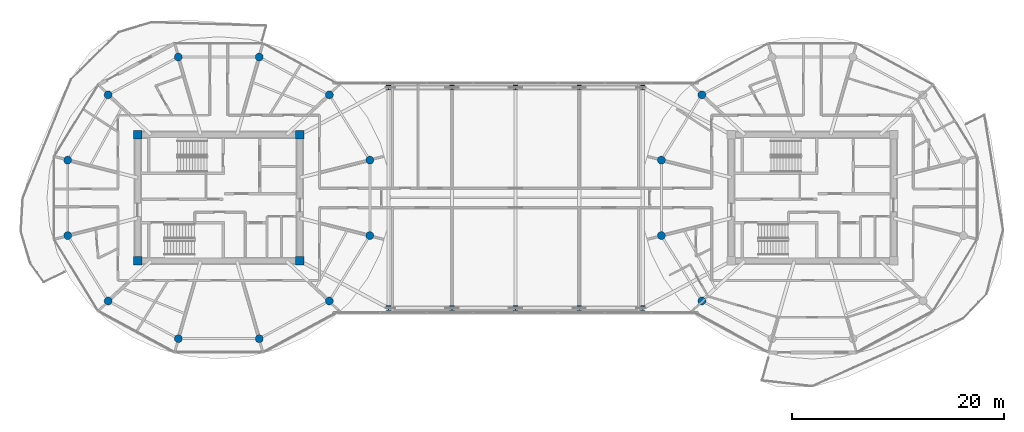
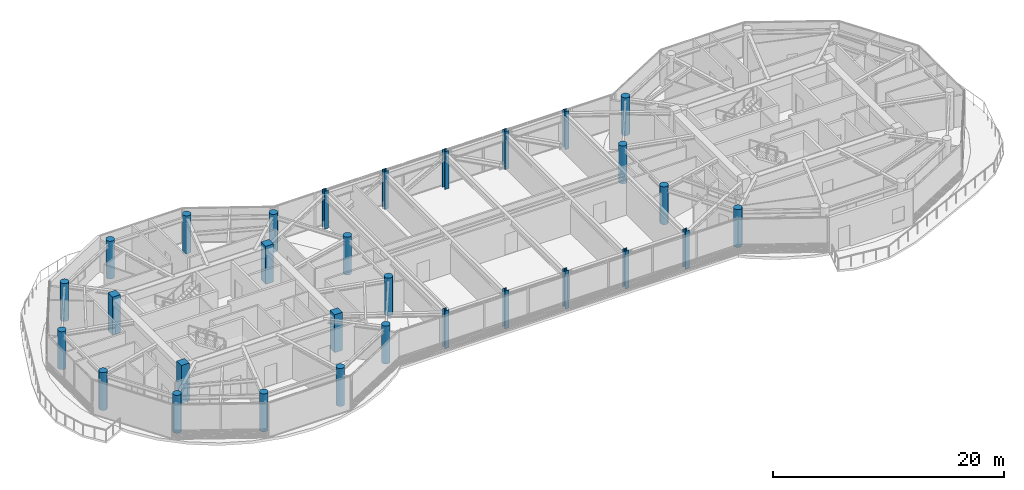
# One storey, part 1 of 24: 30 columns.
"""IFC4 building model written with IfcOpenShell, lengths in metres."""

from ifc_helpers import new_model, si_unit, direction, frame, origin, origin_2d, place, context, subcontext, project, spatial, rectangle, circle, i_section, extrude, source, transform, mapped, material, material_profile, profile_set, type_object, type_shapes, element, save


model = new_model("IFC4")

# Units and contexts
model_context = context("Model", 3, precision=1e-05, world=origin(), true_north=direction((0.0, 1.0)))
body_context = subcontext(model_context, "Body", "Model", "MODEL_VIEW")
ifc_project = project(units=[si_unit("LENGTHUNIT", "METRE"), si_unit("AREAUNIT", "SQUARE_METRE"), si_unit("VOLUMEUNIT", "CUBIC_METRE"), si_unit("PLANEANGLEUNIT", "RADIAN"), si_unit("MASSUNIT", "GRAM", prefix="KILO")], contexts=[model_context])

# Site, building, storey
site_placement = place(None, origin())
site = spatial("IfcSite", under=ifc_project, at=site_placement, CompositionType="ELEMENT")
building_placement = place(site_placement, origin())
building = spatial("IfcBuilding", under=site, at=building_placement, Name="Norrkilde Senior Care Towers", CompositionType="ELEMENT")
storey_placement = place(building_placement, frame((0.0, 0.0, 203.800048828125)))
storey = spatial("IfcBuildingStorey", under=building, at=storey_placement, Name="L63", CompositionType="ELEMENT", Elevation=203.800048828125)

# Columns
ifc_material_1 = material(Name="Concrete C60/75", Category="concrete")
ifc_material_profile_1 = material_profile(ifc_material_1, rectangle(XDim=0.800048828125, YDim=0.800048828125, at=origin_2d()), Name="RC COL 800x800")
ifc_profile_set_1 = profile_set([ifc_material_profile_1], Name="Concrete C60/75")
column_type_1 = type_object("IfcColumnType", Name="Column Core Corner Z3-Z4 800", PredefinedType="COLUMN", material=ifc_profile_set_1)
shared_shape_1 = source(origin(), body_context, "Body", "SweptSolid", [
    extrude(rectangle(XDim=0.800048828125, YDim=0.800048828125, at=origin_2d()), origin(), (0.0, 0.0, 1.0), 4.0),
])
type_shapes(column_type_1, [shared_shape_1])
for number, where, z_axis, x_axis, name in (
    (1, (-35.64990234375, -5.949951171875, 0.0), (0.0, 0.0, 1.0), (1.0, 0.0, 0.0), "L63 Core W Corner Column 1"),
    (2, (-20.35009765625, -5.949951171875, 0.0), (0.0, 0.0, 1.0), (1.0, 0.0, 0.0), "L63 Core W Corner Column 2"),
    (3, (-20.35009765625, 5.949951171875, 0.0), (0.0, 0.0, 1.0), (1.0, 0.0, 0.0), "L63 Core W Corner Column 3"),
    (4, (-35.64990234375, 5.949951171875, 0.0), (0.0, 0.0, 1.0), (1.0, 0.0, 0.0), "L63 Core W Corner Column 4"),
):
    element("IfcColumn", number, at=place(storey_placement, frame(where, z_axis=z_axis, x_axis=x_axis)), inside=storey, type_object=column_type_1, Name=name, PredefinedType="COLUMN", context=body_context, shape_type="MappedRepresentation", body=[
        mapped(shared_shape_1, transform((0.0, 0.0, 0.0), x_axis=(1.0, 0.0, 0.0), y_axis=(0.0, 1.0, 0.0), z_axis=(0.0, 0.0, 1.0), scale=1.0)),
    ])
ifc_material_2 = material(Name="Concrete C50/60", Category="concrete")
ifc_material_profile_2 = material_profile(ifc_material_2, circle(Radius=0.375, at=origin_2d()), Name="RC CIR 750")
ifc_profile_set_2 = profile_set([ifc_material_profile_2], Name="Concrete C50/60")
column_type_2 = type_object("IfcColumnType", Name="Column Perimeter Z4 750", PredefinedType="COLUMN", material=ifc_profile_set_2)
shared_shape_2 = source(origin(), body_context, "Body", "SweptSolid", [
    extrude(circle(Radius=0.375, at=origin_2d()), origin(), (0.0, 0.0, 1.0), 4.0),
])
type_shapes(column_type_2, [shared_shape_2])
for number, where, z_axis, x_axis, name in (
    (5, (-13.752685546875, 3.558837890625, 0.0), (0.0, 0.0, 1.0), (1.0, 0.0, 0.0), "L63 Drum W Perimeter Column 01"),
    (6, (-17.570068359375, 9.72265625, 0.0), (0.0, 0.0, 1.0), (1.0, 0.0, 0.0), "L63 Drum W Perimeter Column 02"),
    (7, (-24.182373046875, 13.281494140625, 0.0), (0.0, 0.0, 1.0), (1.0, 0.0, 0.0), "L63 Drum W Perimeter Column 03"),
    (8, (-31.817626953125, 13.281494140625, 0.0), (0.0, 0.0, 1.0), (1.0, 0.0, 0.0), "L63 Drum W Perimeter Column 04"),
    (9, (-38.429931640625, 9.72265625, 0.0), (0.0, 0.0, 1.0), (1.0, 0.0, 0.0), "L63 Drum W Perimeter Column 05"),
    (10, (-42.247314453125, 3.558837890625, 0.0), (0.0, 0.0, 1.0), (1.0, 0.0, 0.0), "L63 Drum W Perimeter Column 06"),
    (11, (-42.247314453125, -3.558837890625, 0.0), (0.0, 0.0, 1.0), (1.0, 0.0, 0.0), "L63 Drum W Perimeter Column 07"),
    (12, (-38.429931640625, -9.72265625, 0.0), (0.0, 0.0, 1.0), (1.0, 0.0, 0.0), "L63 Drum W Perimeter Column 08"),
    (13, (-31.817626953125, -13.281494140625, 0.0), (0.0, 0.0, 1.0), (1.0, 0.0, 0.0), "L63 Drum W Perimeter Column 09"),
    (14, (-24.182373046875, -13.281494140625, 0.0), (0.0, 0.0, 1.0), (1.0, 0.0, 0.0), "L63 Drum W Perimeter Column 10"),
    (15, (-17.570068359375, -9.72265625, 0.0), (0.0, 0.0, 1.0), (1.0, 0.0, 0.0), "L63 Drum W Perimeter Column 11"),
    (16, (-13.752685546875, -3.558837890625, 0.0), (0.0, 0.0, 1.0), (1.0, 0.0, 0.0), "L63 Drum W Perimeter Column 12"),
    (17, (17.570068359375, 9.72265625, 0.0), (0.0, 0.0, 1.0), (1.0, 0.0, 0.0), "L63 Drum E Perimeter Column 05"),
    (18, (13.752685546875, 3.558837890625, 0.0), (0.0, 0.0, 1.0), (1.0, 0.0, 0.0), "L63 Drum E Perimeter Column 06"),
    (19, (13.752685546875, -3.558837890625, 0.0), (0.0, 0.0, 1.0), (1.0, 0.0, 0.0), "L63 Drum E Perimeter Column 07"),
    (20, (17.570068359375, -9.72265625, 0.0), (0.0, 0.0, 1.0), (1.0, 0.0, 0.0), "L63 Drum E Perimeter Column 08"),
):
    element("IfcColumn", number, at=place(storey_placement, frame(where, z_axis=z_axis, x_axis=x_axis)), inside=storey, type_object=column_type_2, Name=name, PredefinedType="COLUMN", context=body_context, shape_type="MappedRepresentation", body=[
        mapped(shared_shape_2, transform((0.0, 0.0, 0.0), x_axis=(1.0, 0.0, 0.0), y_axis=(0.0, 1.0, 0.0), z_axis=(0.0, 0.0, 1.0), scale=1.0)),
    ])
ifc_material_3 = material(Name="Steel S355", Category="steel")
ifc_material_profile_3 = material_profile(ifc_material_3, i_section(OverallWidth=0.406982421875, OverallDepth=0.43505859375, WebThickness=0.02392578125, FlangeThickness=0.0390625, FilletRadius=0.014892578125, at=origin_2d()), Name="HD 400x421")
ifc_profile_set_3 = profile_set([ifc_material_profile_3], Name="Steel S355")
column_type_3 = type_object("IfcColumnType", Name="Column Bridge Frame HD400", PredefinedType="COLUMN", material=ifc_profile_set_3)
shared_shape_3 = source(origin(), body_context, "Body", "SweptSolid", [
    extrude(i_section(OverallWidth=0.406982421875, OverallDepth=0.43505859375, WebThickness=0.02392578125, FlangeThickness=0.0390625, FilletRadius=0.014892578125, at=origin_2d()), origin(), (0.0, 0.0, 1.0), 4.0),
])
type_shapes(column_type_3, [shared_shape_3])
for number, where, z_axis, x_axis, name in (
    (21, (-12.0, -10.39990234375, 0.0), (0.0, 0.0, 1.0), (1.0, 0.0, 0.0), "L63 Sky-Gate Bridge Column -12.1"),
    (22, (-12.0, 10.39990234375, 0.0), (0.0, 0.0, 1.0), (1.0, 0.0, 0.0), "L63 Sky-Gate Bridge Column -12.2"),
    (23, (-6.0, -10.39990234375, 0.0), (0.0, 0.0, 1.0), (1.0, 0.0, 0.0), "L63 Sky-Gate Bridge Column -6.1"),
    (24, (-6.0, 10.39990234375, 0.0), (0.0, 0.0, 1.0), (1.0, 0.0, 0.0), "L63 Sky-Gate Bridge Column -6.2"),
    (25, (0.0, -10.39990234375, 0.0), (0.0, 0.0, 1.0), (1.0, 0.0, 0.0), "L63 Sky-Gate Bridge Column +0.1"),
    (26, (0.0, 10.39990234375, 0.0), (0.0, 0.0, 1.0), (1.0, 0.0, 0.0), "L63 Sky-Gate Bridge Column +0.2"),
    (27, (6.0, -10.39990234375, 0.0), (0.0, 0.0, 1.0), (1.0, 0.0, 0.0), "L63 Sky-Gate Bridge Column +6.1"),
    (28, (6.0, 10.39990234375, 0.0), (0.0, 0.0, 1.0), (1.0, 0.0, 0.0), "L63 Sky-Gate Bridge Column +6.2"),
    (29, (12.0, -10.39990234375, 0.0), (0.0, 0.0, 1.0), (1.0, 0.0, 0.0), "L63 Sky-Gate Bridge Column +12.1"),
    (30, (12.0, 10.39990234375, 0.0), (0.0, 0.0, 1.0), (1.0, 0.0, 0.0), "L63 Sky-Gate Bridge Column +12.2"),
):
    element("IfcColumn", number, at=place(storey_placement, frame(where, z_axis=z_axis, x_axis=x_axis)), inside=storey, type_object=column_type_3, Name=name, PredefinedType="COLUMN", context=body_context, shape_type="MappedRepresentation", body=[
        mapped(shared_shape_3, transform((0.0, 0.0, 0.0), x_axis=(1.0, 0.0, 0.0), y_axis=(0.0, 1.0, 0.0), z_axis=(0.0, 0.0, 1.0), scale=1.0)),
    ])

save(model, "model.ifc")
